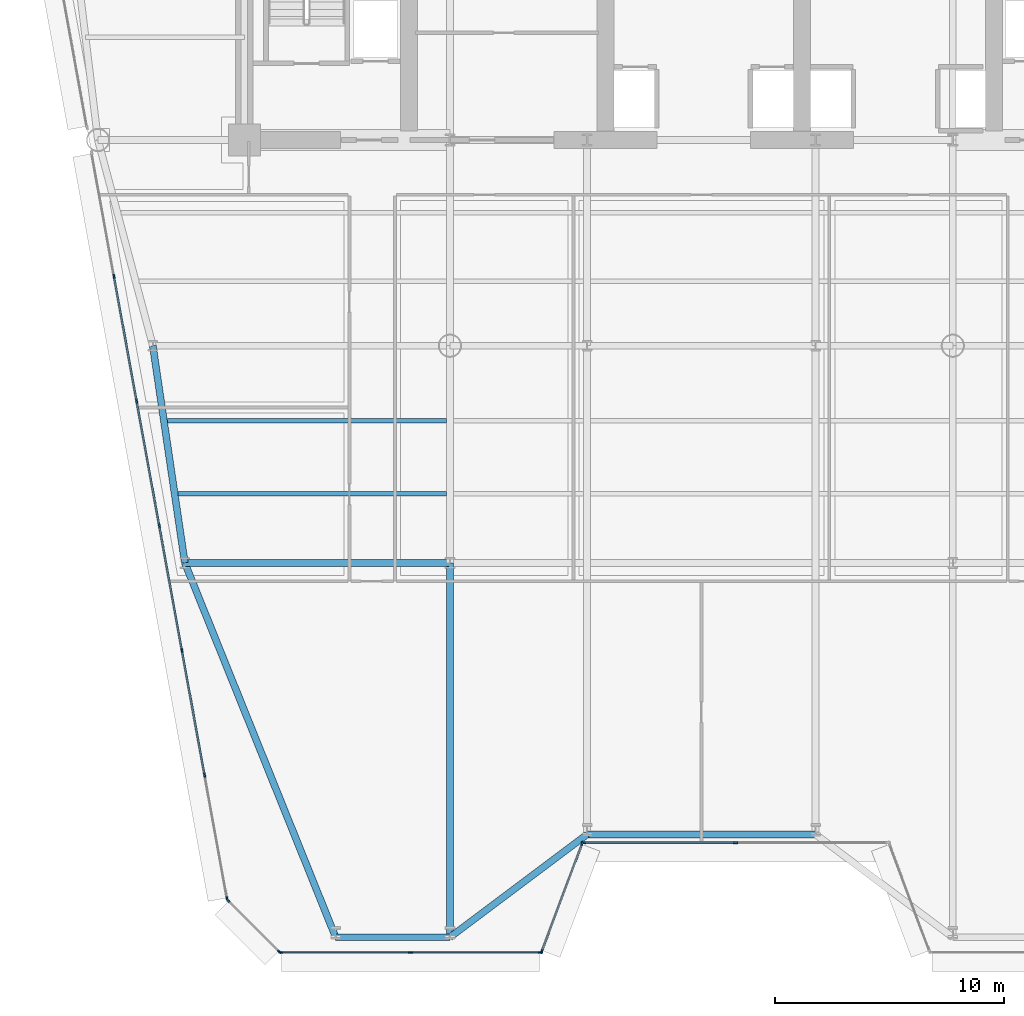
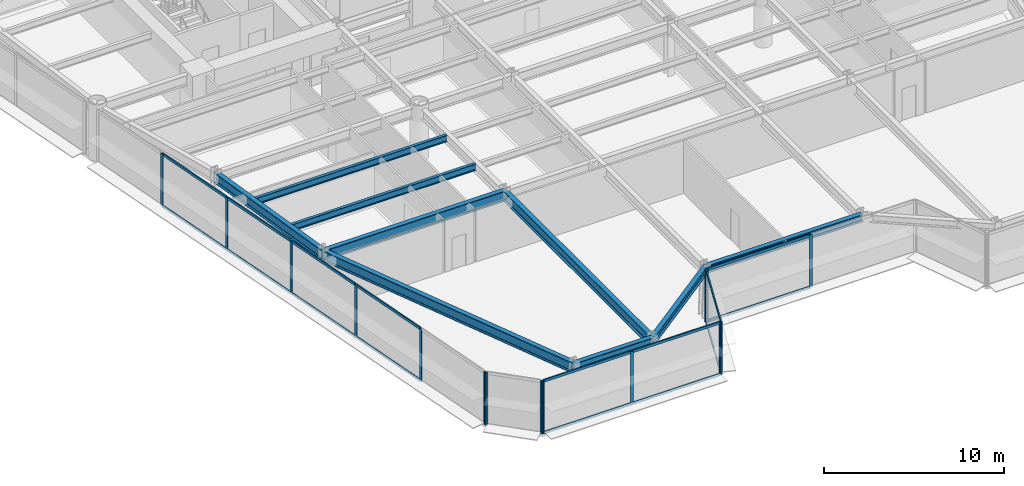
# One storey, part 2 of 14: 31 members, 9 beams, 5 elements without a shape of their own.
"""IFC4 building model written with IfcOpenShell, lengths in metres."""

from ifc_helpers import new_model, si_unit, direction, frame, origin, origin_2d, place, context, subcontext, project, spatial, rectangle, i_section, extrude, source, transform, mapped, material, layer, layer_set, material_profile, profile_set, type_object, element, aggregate, save


model = new_model("IFC4")

# Units and contexts
model_context = context("Model", 3, precision=1e-05, world=origin(), true_north=direction((0.0, 1.0)))
body_context = subcontext(model_context, "Body", "Model", "MODEL_VIEW")
ifc_project = project(units=[si_unit("LENGTHUNIT", "METRE"), si_unit("AREAUNIT", "SQUARE_METRE"), si_unit("VOLUMEUNIT", "CUBIC_METRE"), si_unit("PLANEANGLEUNIT", "RADIAN"), si_unit("MASSUNIT", "GRAM", prefix="KILO")], contexts=[model_context])

# Site, building, storey
site_placement = place(None, origin())
site = spatial("IfcSite", under=ifc_project, at=site_placement, CompositionType="ELEMENT")
building_placement = place(site_placement, origin())
building = spatial("IfcBuilding", under=site, at=building_placement, Name="Vaeldorn Concourse Tower", CompositionType="ELEMENT")
storey_placement = place(building_placement, frame((0.0, 0.0, 130.0)))
storey = spatial("IfcBuildingStorey", under=building, at=storey_placement, Name="L33", CompositionType="ELEMENT", Elevation=130.0)

# Beams
ifc_material_1 = material(Name="Steel S355", Category="steel")
ifc_material_profile_1 = material_profile(ifc_material_1, i_section(OverallWidth=0.300048828125, OverallDepth=0.5, WebThickness=0.014404296875, FlangeThickness=0.028076171875, FilletRadius=0.027099609375, at=origin_2d()), Name="HEB 500")
ifc_profile_set_1 = profile_set([ifc_material_profile_1], Name="Steel S355")
beam_type_1 = type_object("IfcBeamType", Name="BM-SP-HEB500", PredefinedType="SPANDREL", material=ifc_profile_set_1)
shared_shape_1 = source(origin(), body_context, "Body", "SweptSolid", [
    extrude(i_section(OverallWidth=0.300048828125, OverallDepth=0.5, WebThickness=0.014404296875, FlangeThickness=0.028076171875, FilletRadius=0.027099609375, at=origin_2d()), origin(), (0.0, 0.0, 1.0), 5.0),
])
beam_1_placement = place(storey_placement, frame((18.0, 1.6171875, 3.330078125), z_axis=(1.0, 0.0, 0.0), x_axis=(0.0, 1.0, 0.0)))
element("IfcBeam", 1, at=beam_1_placement, inside=storey, type_object=beam_type_1, Name="Beam BM-L33-C-SF1-C-SF2", PredefinedType="SPANDREL", context=body_context, shape_type="MappedRepresentation", body=[
    mapped(shared_shape_1, transform((0.0, 0.0, 0.0), scale=1.0)),
])
shared_shape_2 = source(origin(), body_context, "Body", "SweptSolid", [
    extrude(i_section(OverallWidth=0.300048828125, OverallDepth=0.5, WebThickness=0.014404296875, FlangeThickness=0.028076171875, FilletRadius=0.027099609375, at=origin_2d()), origin(), (0.0, 0.0, 1.0), 7.5),
])
beam_2_placement = place(storey_placement, frame((23.0, 1.6171875, 3.330078125), z_axis=(0.8, 0.6, 0.0), x_axis=(-0.6, 0.8, 0.0)))
element("IfcBeam", 2, at=beam_2_placement, inside=storey, type_object=beam_type_1, Name="Beam BM-L33-C-SF2-C-SF3", PredefinedType="SPANDREL", context=body_context, shape_type="MappedRepresentation", body=[
    mapped(shared_shape_2, transform((0.0, 0.0, 0.0), scale=1.0)),
])
shared_shape_3 = source(origin(), body_context, "Body", "SweptSolid", [
    extrude(i_section(OverallWidth=0.300048828125, OverallDepth=0.5, WebThickness=0.014404296875, FlangeThickness=0.028076171875, FilletRadius=0.027099609375, at=origin_2d()), origin(), (0.0, 0.0, 1.0), 10.0),
])
beam_3_placement = place(storey_placement, frame((29.0, 6.1171875, 3.330078125), z_axis=(1.0, 0.0, 0.0), x_axis=(0.0, 1.0, 0.0)))
element("IfcBeam", 3, at=beam_3_placement, inside=storey, type_object=beam_type_1, Name="Beam BM-L33-C-SF3-C-SF4", PredefinedType="SPANDREL", context=body_context, shape_type="MappedRepresentation", body=[
    mapped(shared_shape_3, transform((0.0, 0.0, 0.0), scale=1.0)),
])
ifc_material_profile_2 = material_profile(ifc_material_1, i_section(OverallWidth=0.300048828125, OverallDepth=0.699951171875, WebThickness=0.01708984375, FlangeThickness=0.031982421875, FilletRadius=0.027099609375, at=origin_2d()), Name="HEB 700")
ifc_profile_set_2 = profile_set([ifc_material_profile_2], Name="Steel S355")
beam_type_2 = type_object("IfcBeamType", Name="BM-PG-HEB700", PredefinedType="BEAM", material=ifc_profile_set_2)
shared_shape_4 = source(origin(), body_context, "Body", "SweptSolid", [
    extrude(i_section(OverallWidth=0.300048828125, OverallDepth=0.699951171875, WebThickness=0.01708984375, FlangeThickness=0.031982421875, FilletRadius=0.027099609375, at=origin_2d()), origin(), (0.0, 0.0, 1.0), 9.6025390625),
])
beam_4_placement = place(storey_placement, frame((10.0, 27.5, 3.22998046875), z_axis=(0.145783835977, -0.989316467652, 0.0), x_axis=(0.989316467652, 0.145783835977, 0.0)))
element("IfcBeam", 4, at=beam_4_placement, inside=storey, type_object=beam_type_2, Name="Beam BM-L33-C-FLW1-C-FLW2", PredefinedType="BEAM", context=body_context, shape_type="MappedRepresentation", body=[
    mapped(shared_shape_4, transform((0.0, 0.0, 0.0), scale=1.0)),
])
shared_shape_5 = source(origin(), body_context, "Body", "SweptSolid", [
    extrude(i_section(OverallWidth=0.300048828125, OverallDepth=0.699951171875, WebThickness=0.01708984375, FlangeThickness=0.031982421875, FilletRadius=0.027099609375, at=origin_2d()), origin(), (0.0, 0.0, 1.0), 11.60009765625),
])
beam_5_placement = place(storey_placement, frame((11.39990234375, 18.0, 3.22998046875), z_axis=(1.0, 0.0, 0.0), x_axis=(0.0, 1.0, 0.0)))
element("IfcBeam", 5, at=beam_5_placement, inside=storey, type_object=beam_type_2, Name="Beam BM-L33-C-FLW2-C-TW5", PredefinedType="BEAM", context=body_context, shape_type="MappedRepresentation", body=[
    mapped(shared_shape_5, transform((0.0, 0.0, 0.0), scale=1.0)),
])
shared_shape_6 = source(origin(), body_context, "Body", "SweptSolid", [
    extrude(i_section(OverallWidth=0.300048828125, OverallDepth=0.699951171875, WebThickness=0.01708984375, FlangeThickness=0.031982421875, FilletRadius=0.027099609375, at=origin_2d()), origin(), (0.0, 0.0, 1.0), 17.662353515625),
])
beam_6_placement = place(storey_placement, frame((18.0, 1.6171875, 3.22998046875), z_axis=(-0.373682201624, 0.927556797285, 0.0), x_axis=(-0.927556797285, -0.373682201624, 0.0)))
element("IfcBeam", 6, at=beam_6_placement, inside=storey, type_object=beam_type_2, Name="Beam BM-L33-C-SF1-C-FLW2", PredefinedType="BEAM", context=body_context, shape_type="MappedRepresentation", body=[
    mapped(shared_shape_6, transform((0.0, 0.0, 0.0), scale=1.0)),
])
shared_shape_7 = source(origin(), body_context, "Body", "SweptSolid", [
    extrude(i_section(OverallWidth=0.300048828125, OverallDepth=0.699951171875, WebThickness=0.01708984375, FlangeThickness=0.031982421875, FilletRadius=0.027099609375, at=origin_2d()), origin(), (0.0, 0.0, 1.0), 16.3828125),
])
beam_7_placement = place(storey_placement, frame((23.0, 1.6171875, 3.22998046875), z_axis=(0.0, 1.0, 0.0), x_axis=(-1.0, 0.0, 0.0)))
element("IfcBeam", 7, at=beam_7_placement, inside=storey, type_object=beam_type_2, Name="Beam BM-L33-C-SF2-C-TW5", PredefinedType="BEAM", context=body_context, shape_type="MappedRepresentation", body=[
    mapped(shared_shape_7, transform((0.0, 0.0, 0.0), scale=1.0)),
])
ifc_material_profile_3 = material_profile(ifc_material_1, i_section(OverallWidth=0.18994140625, OverallDepth=0.449951171875, WebThickness=0.009521484375, FlangeThickness=0.0146484375, FilletRadius=0.02099609375, at=origin_2d()), Name="IPE 450")
ifc_profile_set_3 = profile_set([ifc_material_profile_3], Name="Steel S355")
beam_type_3 = type_object("IfcBeamType", Name="BM-JS-IPE450", PredefinedType="JOIST", material=ifc_profile_set_3)
shared_shape_8 = source(origin(), body_context, "Body", "SweptSolid", [
    extrude(i_section(OverallWidth=0.18994140625, OverallDepth=0.449951171875, WebThickness=0.009521484375, FlangeThickness=0.0146484375, FilletRadius=0.02099609375, at=origin_2d()), origin(), (0.0, 0.0, 1.0), 11.7451171875),
])
beam_8_placement = place(storey_placement, frame((11.10498046875, 21.02001953125, 3.35498046875), z_axis=(1.0, 0.0, 0.0), x_axis=(0.0, 1.0, 0.0)))
element("IfcBeam", 8, at=beam_8_placement, inside=storey, type_object=beam_type_3, Name="Beam JS-L33-W1-210", PredefinedType="JOIST", context=body_context, shape_type="MappedRepresentation", body=[
    mapped(shared_shape_8, transform((0.0, 0.0, 0.0), scale=1.0)),
])
shared_shape_9 = source(origin(), body_context, "Body", "SweptSolid", [
    extrude(i_section(OverallWidth=0.18994140625, OverallDepth=0.449951171875, WebThickness=0.009521484375, FlangeThickness=0.0146484375, FilletRadius=0.02099609375, at=origin_2d()), origin(), (0.0, 0.0, 1.0), 12.216796875),
])
beam_9_placement = place(storey_placement, frame((10.63330078125, 24.219970703125, 3.35498046875), z_axis=(1.0, 0.0, 0.0), x_axis=(0.0, 1.0, 0.0)))
element("IfcBeam", 9, at=beam_9_placement, inside=storey, type_object=beam_type_3, Name="Beam JS-L33-W1-242", PredefinedType="JOIST", context=body_context, shape_type="MappedRepresentation", body=[
    mapped(shared_shape_9, transform((0.0, 0.0, 0.0), scale=1.0)),
])

# Curtain wall, members
ifc_material_2 = material(Name="Anodised Bronze Aluminium", Category="aluminium")
ifc_layer = layer(ifc_material_2, 0.199951171875)
ifc_layer_set = layer_set([ifc_layer], Name="Anodised Bronze Aluminium")
curtain_wall_type = type_object("IfcCurtainWallType", Name="CW-SYS-02", PredefinedType="NOTDEFINED", material=ifc_layer_set)
curtain_wall_1_placement = place(storey_placement, origin())
curtain_wall_1 = element("IfcCurtainWall", 10, at=curtain_wall_1_placement, inside=storey, type_object=curtain_wall_type, Name="Unitised Curtain Wall CW-L33-E02-1", PredefinedType="NOTDEFINED")
ifc_material_profile_4 = material_profile(ifc_material_2, rectangle(XDim=0.074951171875, YDim=0.179931640625, at=origin_2d()), Name="CWT 75x180")
ifc_profile_set_4 = profile_set([ifc_material_profile_4], Name="Anodised Bronze Aluminium")
member_type_1 = type_object("IfcMemberType", Name="CWT-BRONZE-180", PredefinedType="USERDEFINED", material=ifc_profile_set_4)
shared_shape_10 = source(origin(), body_context, "Body", "SweptSolid", [
    extrude(rectangle(XDim=0.074951171875, YDim=0.179931640625, at=origin_2d()), origin(), (0.0, 0.0, 1.0), 4.976318359375),
])
member_1_placement = place(storey_placement, frame((27.0263671875, 1.026611328125, 0.03759765625), z_axis=(0.351128818119, 0.936327161352, 0.0), x_axis=(-0.936327161352, 0.351128818119, 0.0)))
member_1 = element("IfcMember", 11, at=member_1_placement, type_object=member_type_1, Name="CW-02 transom 1.1", ObjectType="TRANSOM", PredefinedType="USERDEFINED", context=body_context, shape_type="MappedRepresentation", body=[
    mapped(shared_shape_10, transform((0.0, 0.0, 0.0), scale=1.0)),
])
member_2_placement = place(storey_placement, frame((27.0263671875, 1.026611328125, 3.54248046875), z_axis=(0.351128818119, 0.936327161352, 0.0), x_axis=(-0.936327161352, 0.351128818119, 0.0)))
member_2 = element("IfcMember", 12, at=member_2_placement, type_object=member_type_1, Name="CW-02 transom 1.2", ObjectType="TRANSOM", PredefinedType="USERDEFINED", context=body_context, shape_type="MappedRepresentation", body=[
    mapped(shared_shape_10, transform((0.0, 0.0, 0.0), scale=1.0)),
])

curtain_wall_2_placement = place(storey_placement, origin())
curtain_wall_2 = element("IfcCurtainWall", 13, at=curtain_wall_2_placement, inside=storey, type_object=curtain_wall_type, Name="Unitised Curtain Wall CW-L33-E03-1", PredefinedType="NOTDEFINED")
shared_shape_11 = source(origin(), body_context, "Body", "SweptSolid", [
    extrude(rectangle(XDim=0.074951171875, YDim=0.179931640625, at=origin_2d()), origin(), (0.0, 0.0, 1.0), 6.58740234375),
])
member_3_placement = place(storey_placement, frame((28.875, 5.75634765625, 0.03759765625), z_axis=(1.0, 0.0, 0.0), x_axis=(0.0, 1.0, 0.0)))
member_3 = element("IfcMember", 14, at=member_3_placement, type_object=member_type_1, Name="CW-02 transom 1.1", ObjectType="TRANSOM", PredefinedType="USERDEFINED", context=body_context, shape_type="MappedRepresentation", body=[
    mapped(shared_shape_11, transform((0.0, 0.0, 0.0), scale=1.0)),
])
member_4_placement = place(storey_placement, frame((28.875, 5.75634765625, 3.54248046875), z_axis=(1.0, 0.0, 0.0), x_axis=(0.0, 1.0, 0.0)))
member_4 = element("IfcMember", 15, at=member_4_placement, type_object=member_type_1, Name="CW-02 transom 1.2", ObjectType="TRANSOM", PredefinedType="USERDEFINED", context=body_context, shape_type="MappedRepresentation", body=[
    mapped(shared_shape_11, transform((0.0, 0.0, 0.0), scale=1.0)),
])

curtain_wall_3_placement = place(storey_placement, origin())
curtain_wall_3 = element("IfcCurtainWall", 16, at=curtain_wall_3_placement, inside=storey, type_object=curtain_wall_type, Name="Unitised Curtain Wall CW-L33-E01-1", PredefinedType="NOTDEFINED")
shared_shape_12 = source(origin(), body_context, "Body", "SweptSolid", [
    extrude(rectangle(XDim=0.074951171875, YDim=0.179931640625, at=origin_2d()), origin(), (0.0, 0.0, 1.0), 5.609130859375),
])
member_5_placement = place(storey_placement, frame((15.632080078125, 0.956298828125, 0.03759765625), z_axis=(1.0, 0.0, 0.0), x_axis=(0.0, 1.0, 0.0)))
member_5 = element("IfcMember", 17, at=member_5_placement, type_object=member_type_1, Name="CW-02 transom 1.1", ObjectType="TRANSOM", PredefinedType="USERDEFINED", context=body_context, shape_type="MappedRepresentation", body=[
    mapped(shared_shape_12, transform((0.0, 0.0, 0.0), scale=1.0)),
])
member_6_placement = place(storey_placement, frame((15.632080078125, 0.956298828125, 3.54248046875), z_axis=(1.0, 0.0, 0.0), x_axis=(0.0, 1.0, 0.0)))
member_6 = element("IfcMember", 18, at=member_6_placement, type_object=member_type_1, Name="CW-02 transom 1.2", ObjectType="TRANSOM", PredefinedType="USERDEFINED", context=body_context, shape_type="MappedRepresentation", body=[
    mapped(shared_shape_12, transform((0.0, 0.0, 0.0), scale=1.0)),
])
shared_shape_13 = source(origin(), body_context, "Body", "SweptSolid", [
    extrude(rectangle(XDim=0.074951171875, YDim=0.179931640625, at=origin_2d()), origin(), (0.0, 0.0, 1.0), 5.60888671875),
])
member_7_placement = place(storey_placement, frame((21.316162109375, 0.956298828125, 0.03759765625), z_axis=(1.0, 0.0, 0.0), x_axis=(0.0, 1.0, 0.0)))
member_7 = element("IfcMember", 19, at=member_7_placement, type_object=member_type_1, Name="CW-02 transom 2.1", ObjectType="TRANSOM", PredefinedType="USERDEFINED", context=body_context, shape_type="MappedRepresentation", body=[
    mapped(shared_shape_13, transform((0.0, 0.0, 0.0), scale=1.0)),
])
member_8_placement = place(storey_placement, frame((21.316162109375, 0.956298828125, 3.54248046875), z_axis=(1.0, 0.0, 0.0), x_axis=(0.0, 1.0, 0.0)))
member_8 = element("IfcMember", 20, at=member_8_placement, type_object=member_type_1, Name="CW-02 transom 2.2", ObjectType="TRANSOM", PredefinedType="USERDEFINED", context=body_context, shape_type="MappedRepresentation", body=[
    mapped(shared_shape_13, transform((0.0, 0.0, 0.0), scale=1.0)),
])
ifc_material_profile_5 = material_profile(ifc_material_2, rectangle(XDim=0.074951171875, YDim=0.18994140625, at=origin_2d()), Name="CWM 75x190")
ifc_profile_set_5 = profile_set([ifc_material_profile_5], Name="Anodised Bronze Aluminium")
member_type_2 = type_object("IfcMemberType", Name="CWM-BRONZE-190", PredefinedType="MULLION", material=ifc_profile_set_5)
shared_shape_14 = source(origin(), body_context, "Body", "SweptSolid", [
    extrude(rectangle(XDim=0.074951171875, YDim=0.18994140625, at=origin_2d()), origin(), (0.0, 0.0, 1.0), 3.580078125),
])
member_9_placement = place(storey_placement, frame((15.5947265625, 0.956298828125, 0.0), z_axis=(0.0, 0.0, 1.0), x_axis=(0.0, 1.0, 0.0)))
member_9 = element("IfcMember", 21, at=member_9_placement, type_object=member_type_2, Name="CW-02 mullion 1", PredefinedType="MULLION", context=body_context, shape_type="MappedRepresentation", body=[
    mapped(shared_shape_14, transform((0.0, 0.0, 0.0), scale=1.0)),
])
member_10_placement = place(storey_placement, frame((21.278564453125, 0.956298828125, 0.0), z_axis=(0.0, 0.0, 1.0), x_axis=(0.0, 1.0, 0.0)))
member_10 = element("IfcMember", 22, at=member_10_placement, type_object=member_type_2, Name="CW-02 mullion 2", PredefinedType="MULLION", context=body_context, shape_type="MappedRepresentation", body=[
    mapped(shared_shape_14, transform((0.0, 0.0, 0.0), scale=1.0)),
])
member_11_placement = place(storey_placement, frame((26.96240234375, 0.956298828125, 0.0), z_axis=(0.0, 0.0, 1.0), x_axis=(0.0, 1.0, 0.0)))
member_11 = element("IfcMember", 23, at=member_11_placement, type_object=member_type_2, Name="CW-02 mullion 3", PredefinedType="MULLION", context=body_context, shape_type="MappedRepresentation", body=[
    mapped(shared_shape_14, transform((0.0, 0.0, 0.0), scale=1.0)),
])
aggregate(curtain_wall_3, [member_9, member_10, member_11, member_5, member_6, member_7, member_8])

# Member
member_12_placement = place(storey_placement, frame((27.01318359375, 0.991455078125, 0.0), z_axis=(0.0, 0.0, 1.0), x_axis=(-0.936329177566, 0.351123441595, 0.0)))
member_12 = element("IfcMember", 24, at=member_12_placement, type_object=member_type_2, Name="CW-02 mullion 1", PredefinedType="MULLION", context=body_context, shape_type="MappedRepresentation", body=[
    mapped(shared_shape_14, transform((0.0, 0.0, 0.0), scale=1.0)),
])

member_13_placement = place(storey_placement, frame((28.786865234375, 5.72119140625, 0.0), z_axis=(0.0, 0.0, 1.0), x_axis=(-0.936329177566, 0.351123441595, 0.0)))
member_13 = element("IfcMember", 25, at=member_13_placement, type_object=member_type_2, Name="CW-02 mullion 2", PredefinedType="MULLION", context=body_context, shape_type="MappedRepresentation", body=[
    mapped(shared_shape_14, transform((0.0, 0.0, 0.0), scale=1.0)),
])

aggregate(curtain_wall_1, [member_12, member_13, member_1, member_2])

member_14_placement = place(storey_placement, frame((28.83740234375, 5.75634765625, 0.0), z_axis=(0.0, 0.0, 1.0), x_axis=(0.0, 1.0, 0.0)))
member_14 = element("IfcMember", 26, at=member_14_placement, type_object=member_type_2, Name="CW-02 mullion 1", PredefinedType="MULLION", context=body_context, shape_type="MappedRepresentation", body=[
    mapped(shared_shape_14, transform((0.0, 0.0, 0.0), scale=1.0)),
])

member_15_placement = place(storey_placement, frame((35.5, 5.75634765625, 0.0), z_axis=(0.0, 0.0, 1.0), x_axis=(0.0, 1.0, 0.0)))
member_15 = element("IfcMember", 27, at=member_15_placement, type_object=member_type_2, Name="CW-02 mullion 2", PredefinedType="MULLION", context=body_context, shape_type="MappedRepresentation", body=[
    mapped(shared_shape_14, transform((0.0, 0.0, 0.0), scale=1.0)),
])

aggregate(curtain_wall_2, [member_14, member_15, member_3, member_4])

# Curtain wall, members
curtain_wall_4_placement = place(storey_placement, origin())
curtain_wall_4 = element("IfcCurtainWall", 28, at=curtain_wall_4_placement, inside=storey, type_object=curtain_wall_type, Name="Unitised Curtain Wall CW-L33-E11-2", PredefinedType="NOTDEFINED")
member_16_placement = place(storey_placement, frame((8.302001953125, 30.52783203125, 0.0), z_axis=(0.0, 0.0, 1.0), x_axis=(0.983890155414, 0.178774053149, 0.0)))
member_16 = element("IfcMember", 29, at=member_16_placement, type_object=member_type_2, Name="CW-02 mullion 2", PredefinedType="MULLION", context=body_context, shape_type="MappedRepresentation", body=[
    mapped(shared_shape_14, transform((0.0, 0.0, 0.0), scale=1.0)),
])
member_17_placement = place(storey_placement, frame((9.29296875, 25.073486328125, 0.0), z_axis=(0.0, 0.0, 1.0), x_axis=(0.983890155414, 0.178774053149, 0.0)))
member_17 = element("IfcMember", 30, at=member_17_placement, type_object=member_type_2, Name="CW-02 mullion 3", PredefinedType="MULLION", context=body_context, shape_type="MappedRepresentation", body=[
    mapped(shared_shape_14, transform((0.0, 0.0, 0.0), scale=1.0)),
])
member_18_placement = place(storey_placement, frame((10.283935546875, 19.619140625, 0.0), z_axis=(0.0, 0.0, 1.0), x_axis=(0.983890155414, 0.178774053149, 0.0)))
member_18 = element("IfcMember", 31, at=member_18_placement, type_object=member_type_2, Name="CW-02 mullion 4", PredefinedType="MULLION", context=body_context, shape_type="MappedRepresentation", body=[
    mapped(shared_shape_14, transform((0.0, 0.0, 0.0), scale=1.0)),
])
member_19_placement = place(storey_placement, frame((11.275146484375, 14.164794921875, 0.0), z_axis=(0.0, 0.0, 1.0), x_axis=(0.983890155414, 0.178774053149, 0.0)))
member_19 = element("IfcMember", 32, at=member_19_placement, type_object=member_type_2, Name="CW-02 mullion 5", PredefinedType="MULLION", context=body_context, shape_type="MappedRepresentation", body=[
    mapped(shared_shape_14, transform((0.0, 0.0, 0.0), scale=1.0)),
])
member_20_placement = place(storey_placement, frame((12.26611328125, 8.710693359375, 0.0), z_axis=(0.0, 0.0, 1.0), x_axis=(0.983890155414, 0.178774053149, 0.0)))
member_20 = element("IfcMember", 33, at=member_20_placement, type_object=member_type_2, Name="CW-02 mullion 6", PredefinedType="MULLION", context=body_context, shape_type="MappedRepresentation", body=[
    mapped(shared_shape_14, transform((0.0, 0.0, 0.0), scale=1.0)),
])
member_21_placement = place(storey_placement, frame((13.25048828125, 3.293212890625, 0.0), z_axis=(0.0, 0.0, 1.0), x_axis=(0.983890155414, 0.178774053149, 0.0)))
member_21 = element("IfcMember", 34, at=member_21_placement, type_object=member_type_2, Name="CW-02 mullion 7", PredefinedType="MULLION", context=body_context, shape_type="MappedRepresentation", body=[
    mapped(shared_shape_14, transform((0.0, 0.0, 0.0), scale=1.0)),
])

curtain_wall_5_placement = place(storey_placement, origin())
curtain_wall_5 = element("IfcCurtainWall", 35, at=curtain_wall_5_placement, inside=storey, type_object=curtain_wall_type, Name="Unitised Curtain Wall CW-L33-E12-1", PredefinedType="NOTDEFINED")
member_22_placement = place(storey_placement, frame((13.28369140625, 3.229736328125, 0.0), z_axis=(0.0, 0.0, 1.0), x_axis=(0.707106781187, 0.707106781187, 0.0)))
member_22 = element("IfcMember", 36, at=member_22_placement, type_object=member_type_2, Name="CW-02 mullion 1", PredefinedType="MULLION", context=body_context, shape_type="MappedRepresentation", body=[
    mapped(shared_shape_14, transform((0.0, 0.0, 0.0), scale=1.0)),
])
member_23_placement = place(storey_placement, frame((15.53076171875, 0.98291015625, 0.0), z_axis=(0.0, 0.0, 1.0), x_axis=(0.707106781187, 0.707106781187, 0.0)))
member_23 = element("IfcMember", 37, at=member_23_placement, type_object=member_type_2, Name="CW-02 mullion 2", PredefinedType="MULLION", context=body_context, shape_type="MappedRepresentation", body=[
    mapped(shared_shape_14, transform((0.0, 0.0, 0.0), scale=1.0)),
])
aggregate(curtain_wall_5, [member_22, member_23])

# Member
shared_shape_15 = source(origin(), body_context, "Body", "SweptSolid", [
    extrude(rectangle(XDim=0.074951171875, YDim=0.179931640625, at=origin_2d()), origin(), (0.0, 0.0, 1.0), 5.468505859375),
])
member_24_placement = place(storey_placement, frame((8.30859375, 30.49072265625, 0.03759765625), z_axis=(0.178802933745, -0.983884907336, 0.0), x_axis=(0.983884907336, 0.178802933745, 0.0)))
member_24 = element("IfcMember", 38, at=member_24_placement, type_object=member_type_1, Name="CW-02 transom 2.1", ObjectType="TRANSOM", PredefinedType="USERDEFINED", context=body_context, shape_type="MappedRepresentation", body=[
    mapped(shared_shape_15, transform((0.0, 0.0, 0.0), scale=1.0)),
])

member_25_placement = place(storey_placement, frame((8.30859375, 30.49072265625, 3.54248046875), z_axis=(0.178802933745, -0.983884907336, 0.0), x_axis=(0.983884907336, 0.178802933745, 0.0)))
member_25 = element("IfcMember", 39, at=member_25_placement, type_object=member_type_1, Name="CW-02 transom 2.2", ObjectType="TRANSOM", PredefinedType="USERDEFINED", context=body_context, shape_type="MappedRepresentation", body=[
    mapped(shared_shape_15, transform((0.0, 0.0, 0.0), scale=1.0)),
])

member_26_placement = place(storey_placement, frame((11.28173828125, 14.1279296875, 0.03759765625), z_axis=(0.178802933745, -0.983884907336, 0.0), x_axis=(0.983884907336, 0.178802933745, 0.0)))
member_26 = element("IfcMember", 40, at=member_26_placement, type_object=member_type_1, Name="CW-02 transom 5.1", ObjectType="TRANSOM", PredefinedType="USERDEFINED", context=body_context, shape_type="MappedRepresentation", body=[
    mapped(shared_shape_15, transform((0.0, 0.0, 0.0), scale=1.0)),
])

member_27_placement = place(storey_placement, frame((11.28173828125, 14.1279296875, 3.54248046875), z_axis=(0.178802933745, -0.983884907336, 0.0), x_axis=(0.983884907336, 0.178802933745, 0.0)))
member_27 = element("IfcMember", 41, at=member_27_placement, type_object=member_type_1, Name="CW-02 transom 5.2", ObjectType="TRANSOM", PredefinedType="USERDEFINED", context=body_context, shape_type="MappedRepresentation", body=[
    mapped(shared_shape_15, transform((0.0, 0.0, 0.0), scale=1.0)),
])

shared_shape_16 = source(origin(), body_context, "Body", "SweptSolid", [
    extrude(rectangle(XDim=0.074951171875, YDim=0.179931640625, at=origin_2d()), origin(), (0.0, 0.0, 1.0), 5.46875),
])
member_28_placement = place(storey_placement, frame((9.2998046875, 25.03662109375, 0.03759765625), z_axis=(0.17875186373, -0.983894187, 0.0), x_axis=(0.983894187, 0.17875186373, 0.0)))
member_28 = element("IfcMember", 42, at=member_28_placement, type_object=member_type_1, Name="CW-02 transom 3.1", ObjectType="TRANSOM", PredefinedType="USERDEFINED", context=body_context, shape_type="MappedRepresentation", body=[
    mapped(shared_shape_16, transform((0.0, 0.0, 0.0), scale=1.0)),
])

member_29_placement = place(storey_placement, frame((9.2998046875, 25.03662109375, 3.54248046875), z_axis=(0.17875186373, -0.983894187, 0.0), x_axis=(0.983894187, 0.17875186373, 0.0)))
member_29 = element("IfcMember", 43, at=member_29_placement, type_object=member_type_1, Name="CW-02 transom 3.2", ObjectType="TRANSOM", PredefinedType="USERDEFINED", context=body_context, shape_type="MappedRepresentation", body=[
    mapped(shared_shape_16, transform((0.0, 0.0, 0.0), scale=1.0)),
])

member_30_placement = place(storey_placement, frame((10.290771484375, 19.582275390625, 0.03759765625), z_axis=(0.17875186373, -0.983894187, 0.0), x_axis=(0.983894187, 0.17875186373, 0.0)))
member_30 = element("IfcMember", 44, at=member_30_placement, type_object=member_type_1, Name="CW-02 transom 4.1", ObjectType="TRANSOM", PredefinedType="USERDEFINED", context=body_context, shape_type="MappedRepresentation", body=[
    mapped(shared_shape_16, transform((0.0, 0.0, 0.0), scale=1.0)),
])

member_31_placement = place(storey_placement, frame((10.290771484375, 19.582275390625, 3.54248046875), z_axis=(0.17875186373, -0.983894187, 0.0), x_axis=(0.983894187, 0.17875186373, 0.0)))
member_31 = element("IfcMember", 45, at=member_31_placement, type_object=member_type_1, Name="CW-02 transom 4.2", ObjectType="TRANSOM", PredefinedType="USERDEFINED", context=body_context, shape_type="MappedRepresentation", body=[
    mapped(shared_shape_16, transform((0.0, 0.0, 0.0), scale=1.0)),
])

aggregate(curtain_wall_4, [member_16, member_17, member_18, member_19, member_20, member_21, member_24, member_25, member_28, member_29, member_30, member_31, member_26, member_27])

save(model, "model.ifc")
